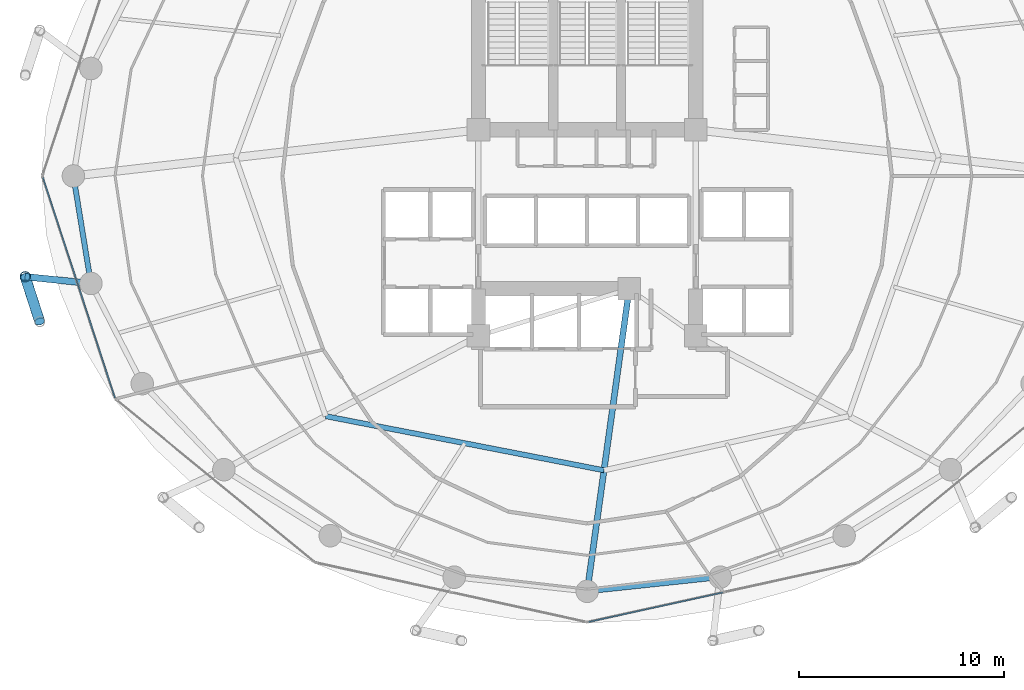
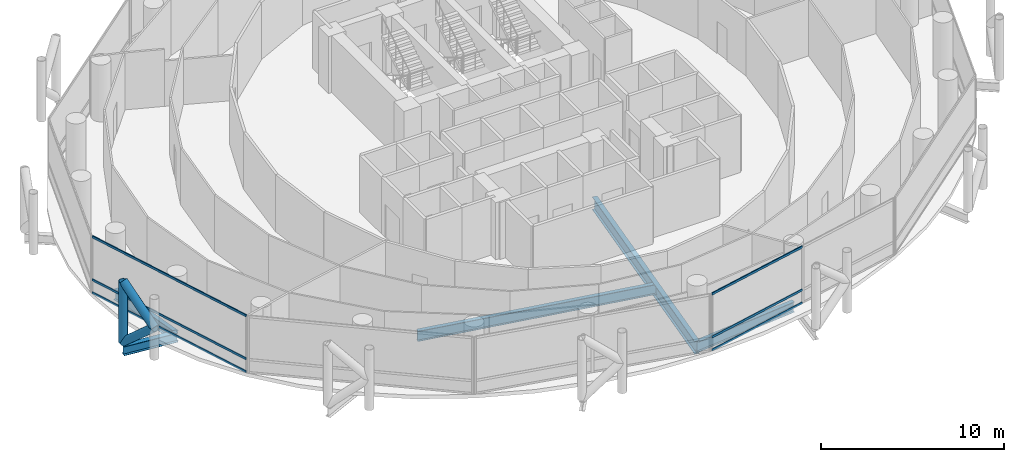
# One storey, part 5 of 26: 9 members, 5 beams, 2 elements without a shape of their own.
"""IFC4 building model written with IfcOpenShell, lengths in metres."""

from ifc_helpers import new_model, si_unit, direction, frame, origin, origin_2d, place, context, subcontext, project, spatial, hollow_rectangle, hollow_circle, i_section, extrude, material, layer, layer_set, material_profile, profile_set, type_object, element, aggregate, save


model = new_model("IFC4")

# Units and contexts
model_context = context("Model", 3, precision=1e-05, world=origin(), true_north=direction((0.0, 1.0)))
body_context = subcontext(model_context, "Body", "Model", "MODEL_VIEW")
ifc_project = project(units=[si_unit("LENGTHUNIT", "METRE"), si_unit("AREAUNIT", "SQUARE_METRE"), si_unit("VOLUMEUNIT", "CUBIC_METRE"), si_unit("PLANEANGLEUNIT", "RADIAN"), si_unit("MASSUNIT", "GRAM", prefix="KILO")], contexts=[model_context])

# Site, building, storey
site_placement = place(None, origin())
site = spatial("IfcSite", under=ifc_project, at=site_placement, CompositionType="ELEMENT")
building_placement = place(site_placement, origin())
building = spatial("IfcBuilding", under=site, at=building_placement, Name="Nuhasar Tower", CompositionType="ELEMENT")
storey_placement = place(building_placement, frame((0.0, 0.0, 93.89990234375)))
storey = spatial("IfcBuildingStorey", under=building, at=storey_placement, Name="L22", CompositionType="ELEMENT", Elevation=93.89990234375)

# Beams
ifc_material_1 = material(Name="Steel S355", Category="steel")
ifc_material_profile_1 = material_profile(ifc_material_1, i_section(OverallWidth=0.25390625, OverallDepth=0.68408203125, WebThickness=0.012451171875, FlangeThickness=0.018798828125, at=origin_2d()), Name="W27X94")
ifc_profile_set_1 = profile_set([ifc_material_profile_1], Name="Steel S355")
beam_type_1 = type_object("IfcBeamType", Name="BM-INRING-W27X94", PredefinedType="BEAM", material=ifc_profile_set_1)
beam_1_placement = place(storey_placement, frame((26.251953125, 15.089111328125, -0.591796875), z_axis=(0.981602977761, -0.190933480695, 0.0), x_axis=(0.190933480695, 0.981602977761, 0.0)))
element("IfcBeam", 1, at=beam_1_placement, inside=storey, type_object=beam_type_1, Name="L22 Inner Header Beam 01", PredefinedType="BEAM", context=body_context, shape_type="SweptSolid", body=[
    extrude(i_section(OverallWidth=0.25390625, OverallDepth=0.68408203125, WebThickness=0.012451171875, FlangeThickness=0.018798828125, at=origin_2d()), origin(), (0.0, 0.0, 1.0), 13.822509765625),
])
ifc_material_profile_2 = material_profile(ifc_material_1, i_section(OverallWidth=0.2919921875, OverallDepth=0.85888671875, WebThickness=0.01708984375, FlangeThickness=0.031005859375, at=origin_2d()), Name="W33X169")
ifc_profile_set_2 = profile_set([ifc_material_profile_2], Name="Steel S355")
beam_type_2 = type_object("IfcBeamType", Name="BM-POD-W33X169", PredefinedType="BEAM", material=ifc_profile_set_2)
beam_2_placement = place(storey_placement, frame((41.050048828125, 21.300048828125, -0.678955078125), z_axis=(-0.137663087856, -0.990479113481, 0.0), x_axis=(0.990479113481, -0.137663087856, 0.0)))
element("IfcBeam", 2, at=beam_2_placement, inside=storey, type_object=beam_type_2, Name="L22 Radial Floor Girder 02", PredefinedType="BEAM", context=body_context, shape_type="SweptSolid", body=[
    extrude(i_section(OverallWidth=0.2919921875, OverallDepth=0.85888671875, WebThickness=0.01708984375, FlangeThickness=0.031005859375, at=origin_2d()), origin(), (0.0, 0.0, 1.0), 14.891845703125),
])
ifc_material_profile_3 = material_profile(ifc_material_1, i_section(OverallWidth=0.256103515625, OverallDepth=0.693115234375, WebThickness=0.014404296875, FlangeThickness=0.023681640625, at=origin_2d()), Name="W27X114")
ifc_profile_set_3 = profile_set([ifc_material_profile_3], Name="Steel S355")
beam_type_3 = type_object("IfcBeamType", Name="BM-RING-W27X114", PredefinedType="SPANDREL", material=ifc_profile_set_3)
beam_3_placement = place(storey_placement, frame((13.949951171875, 26.800048828125, -0.596923828125), z_axis=(0.160826635486, -0.986982671235, 0.0), x_axis=(0.986982671235, 0.160826635486, 0.0)))
element("IfcBeam", 3, at=beam_3_placement, inside=storey, type_object=beam_type_3, Name="L22 Perimeter Ring Spandrel 13", PredefinedType="SPANDREL", context=body_context, shape_type="SweptSolid", body=[
    extrude(i_section(OverallWidth=0.256103515625, OverallDepth=0.693115234375, WebThickness=0.014404296875, FlangeThickness=0.023681640625, at=origin_2d()), origin(), (0.0, 0.0, 1.0), 5.31005859375),
])
beam_4_placement = place(storey_placement, frame((39.0, 6.550048828125, -0.596923828125), z_axis=(0.994384554061, 0.105827022286, 0.0), x_axis=(-0.105827022286, 0.994384554061, 0.0)))
element("IfcBeam", 4, at=beam_4_placement, inside=storey, type_object=beam_type_3, Name="L22 Perimeter Ring Spandrel 19", PredefinedType="SPANDREL", context=body_context, shape_type="SweptSolid", body=[
    extrude(i_section(OverallWidth=0.256103515625, OverallDepth=0.693115234375, WebThickness=0.014404296875, FlangeThickness=0.023681640625, at=origin_2d()), origin(), (0.0, 0.0, 1.0), 6.51953125),
])
ifc_material_profile_4 = material_profile(ifc_material_1, i_section(OverallWidth=0.323974609375, OverallDepth=0.611083984375, WebThickness=0.0126953125, FlangeThickness=0.01904296875, at=origin_2d()), Name="W24X104")
ifc_profile_set_4 = profile_set([ifc_material_profile_4], Name="Steel S355")
beam_type_4 = type_object("IfcBeamType", Name="BM-TIE-W24X104", PredefinedType="BEAM", material=ifc_profile_set_4)
beam_5_placement = place(storey_placement, frame((14.803955078125, 21.55908203125, -0.554931640625), z_axis=(-0.994711572359, 0.102707778751, 0.0), x_axis=(-0.102707778751, -0.994711572359, 0.0)))
element("IfcBeam", 5, at=beam_5_placement, inside=storey, type_object=beam_type_4, Name="L22 Exoskeleton Node Tie Beam 07", PredefinedType="BEAM", context=body_context, shape_type="SweptSolid", body=[
    extrude(i_section(OverallWidth=0.323974609375, OverallDepth=0.611083984375, WebThickness=0.0126953125, FlangeThickness=0.01904296875, at=origin_2d()), origin(), (0.0, 0.0, 1.0), 3.220947265625),
])

# Curtain wall, members
ifc_material_2 = material(Name="Aluminium 6063-T6", Category="aluminium")
ifc_layer = layer(ifc_material_2, 0.199951171875)
ifc_layer_set = layer_set([ifc_layer], Name="Aluminium 6063-T6")
curtain_wall_type = type_object("IfcCurtainWallType", Name="CW-Z1-OFF", PredefinedType="NOTDEFINED", material=ifc_layer_set)
curtain_wall_1_placement = place(storey_placement, origin())
curtain_wall_1 = element("IfcCurtainWall", 6, at=curtain_wall_1_placement, inside=storey, type_object=curtain_wall_type, Name="L22 Unitised Curtain Wall 07", PredefinedType="NOTDEFINED")
ifc_material_profile_5 = material_profile(ifc_material_2, hollow_rectangle(XDim=0.06494140625, YDim=0.14990234375, WallThickness=0.00439453125, at=origin_2d()), Name="CWT-2")
ifc_profile_set_5 = profile_set([ifc_material_profile_5], Name="Aluminium 6063-T6")
member_type_1 = type_object("IfcMemberType", Name="CW-TRN-S2", PredefinedType="USERDEFINED", material=ifc_profile_set_5)
member_1_placement = place(storey_placement, frame((12.460205078125, 26.73828125, 0.03271484375), z_axis=(0.310818687697, -0.950469222741, 0.0), x_axis=(0.950469222741, 0.310818687697, 0.0)))
member_1 = element("IfcMember", 7, at=member_1_placement, type_object=member_type_1, Name="CW-Z1 transom 1.1", ObjectType="TRANSOM", PredefinedType="USERDEFINED", context=body_context, shape_type="SweptSolid", body=[
    extrude(hollow_rectangle(XDim=0.06494140625, YDim=0.14990234375, WallThickness=0.00439453125, at=origin_2d()), origin(), (0.0, 0.0, 1.0), 11.317138671875),
])
member_2_placement = place(storey_placement, frame((12.460205078125, 26.73828125, 0.900146484375), z_axis=(0.310818687697, -0.950469222741, 0.0), x_axis=(0.950469222741, 0.310818687697, 0.0)))
member_2 = element("IfcMember", 8, at=member_2_placement, type_object=member_type_1, Name="CW-Z1 transom 1.2", ObjectType="TRANSOM", PredefinedType="USERDEFINED", context=body_context, shape_type="SweptSolid", body=[
    extrude(hollow_rectangle(XDim=0.06494140625, YDim=0.14990234375, WallThickness=0.00439453125, at=origin_2d()), origin(), (0.0, 0.0, 1.0), 11.317138671875),
])
member_3_placement = place(storey_placement, frame((12.460205078125, 26.73828125, 3.767578125), z_axis=(0.310818687697, -0.950469222741, 0.0), x_axis=(0.950469222741, 0.310818687697, 0.0)))
member_3 = element("IfcMember", 9, at=member_3_placement, type_object=member_type_1, Name="CW-Z1 transom 1.3", ObjectType="TRANSOM", PredefinedType="USERDEFINED", context=body_context, shape_type="SweptSolid", body=[
    extrude(hollow_rectangle(XDim=0.06494140625, YDim=0.14990234375, WallThickness=0.00439453125, at=origin_2d()), origin(), (0.0, 0.0, 1.0), 11.317138671875),
])
aggregate(curtain_wall_1, [member_1, member_2, member_3])

curtain_wall_2_placement = place(storey_placement, origin())
curtain_wall_2 = element("IfcCurtainWall", 10, at=curtain_wall_2_placement, inside=storey, type_object=curtain_wall_type, Name="L22 Unitised Curtain Wall 10", PredefinedType="NOTDEFINED")
member_4_placement = place(storey_placement, frame((39.0634765625, 5.053955078125, 0.03271484375), z_axis=(0.976747879138, 0.214391185916, 0.0), x_axis=(-0.214391185916, 0.976747879138, 0.0)))
member_4 = element("IfcMember", 11, at=member_4_placement, type_object=member_type_1, Name="CW-Z1 transom 1.1", ObjectType="TRANSOM", PredefinedType="USERDEFINED", context=body_context, shape_type="SweptSolid", body=[
    extrude(hollow_rectangle(XDim=0.06494140625, YDim=0.14990234375, WallThickness=0.00439453125, at=origin_2d()), origin(), (0.0, 0.0, 1.0), 6.700439453125),
])
member_5_placement = place(storey_placement, frame((39.0634765625, 5.053955078125, 0.900146484375), z_axis=(0.976747879138, 0.214391185916, 0.0), x_axis=(-0.214391185916, 0.976747879138, 0.0)))
member_5 = element("IfcMember", 12, at=member_5_placement, type_object=member_type_1, Name="CW-Z1 transom 1.2", ObjectType="TRANSOM", PredefinedType="USERDEFINED", context=body_context, shape_type="SweptSolid", body=[
    extrude(hollow_rectangle(XDim=0.06494140625, YDim=0.14990234375, WallThickness=0.00439453125, at=origin_2d()), origin(), (0.0, 0.0, 1.0), 6.700439453125),
])
member_6_placement = place(storey_placement, frame((39.0634765625, 5.053955078125, 3.767578125), z_axis=(0.976747879138, 0.214391185916, 0.0), x_axis=(-0.214391185916, 0.976747879138, 0.0)))
member_6 = element("IfcMember", 13, at=member_6_placement, type_object=member_type_1, Name="CW-Z1 transom 1.3", ObjectType="TRANSOM", PredefinedType="USERDEFINED", context=body_context, shape_type="SweptSolid", body=[
    extrude(hollow_rectangle(XDim=0.06494140625, YDim=0.14990234375, WallThickness=0.00439453125, at=origin_2d()), origin(), (0.0, 0.0, 1.0), 6.700439453125),
])
aggregate(curtain_wall_2, [member_4, member_5, member_6])

# Members
ifc_material_3 = material(Name="Steel S460", Category="steel")
ifc_material_profile_6 = material_profile(ifc_material_3, hollow_circle(Radius=0.25390625, WallThickness=0.025390625, at=origin_2d()), Name="HSS508X25.4")
ifc_profile_set_6 = profile_set([ifc_material_profile_6], Name="Steel S460")
member_type_2 = type_object("IfcMemberType", Name="EXO-BRONZE-508", PredefinedType="BRACE", material=ifc_profile_set_6)
member_7_placement = place(storey_placement, frame((11.60009765625, 21.889892578125, 0.0), z_axis=(0.0, 0.0, 1.0), x_axis=(1.0, 0.0, 0.0)))
element("IfcMember", 14, at=member_7_placement, inside=storey, type_object=member_type_2, Name="L22 Exoskeleton Chord Column EC-07A", PredefinedType="BRACE", context=body_context, shape_type="SweptSolid", body=[
    extrude(hollow_circle(Radius=0.25390625, WallThickness=0.025390625, at=origin_2d()), origin(), (0.0, 0.0, 1.0), 4.050048828125),
])
member_8_placement = place(storey_placement, frame((11.60009765625, 21.889892578125, 0.0), z_axis=(0.230999678299, -0.714187281251, 0.660738734997), x_axis=(0.951468282519, 0.307746823478, 0.0)))
element("IfcMember", 15, at=member_8_placement, inside=storey, type_object=member_type_2, Name="L22 Bronze Diagrid Brace W1-07", PredefinedType="BRACE", context=body_context, shape_type="SweptSolid", body=[
    extrude(hollow_circle(Radius=0.25390625, WallThickness=0.025390625, at=origin_2d()), origin(), (0.0, 0.0, 1.0), 3.06494140625),
])
member_9_placement = place(storey_placement, frame((12.30810546875, 19.700927734375, 2.025146484375), z_axis=(-0.231011836313, 0.714224870475, 0.660693851854), x_axis=(-0.951468282519, -0.307746823478, 0.0)))
element("IfcMember", 16, at=member_9_placement, inside=storey, type_object=member_type_2, Name="L22 Bronze Diagrid Brace W2-07", PredefinedType="BRACE", context=body_context, shape_type="SweptSolid", body=[
    extrude(hollow_circle(Radius=0.25390625, WallThickness=0.025390625, at=origin_2d()), origin(), (0.0, 0.0, 1.0), 3.064697265625),
])

save(model, "model.ifc")
